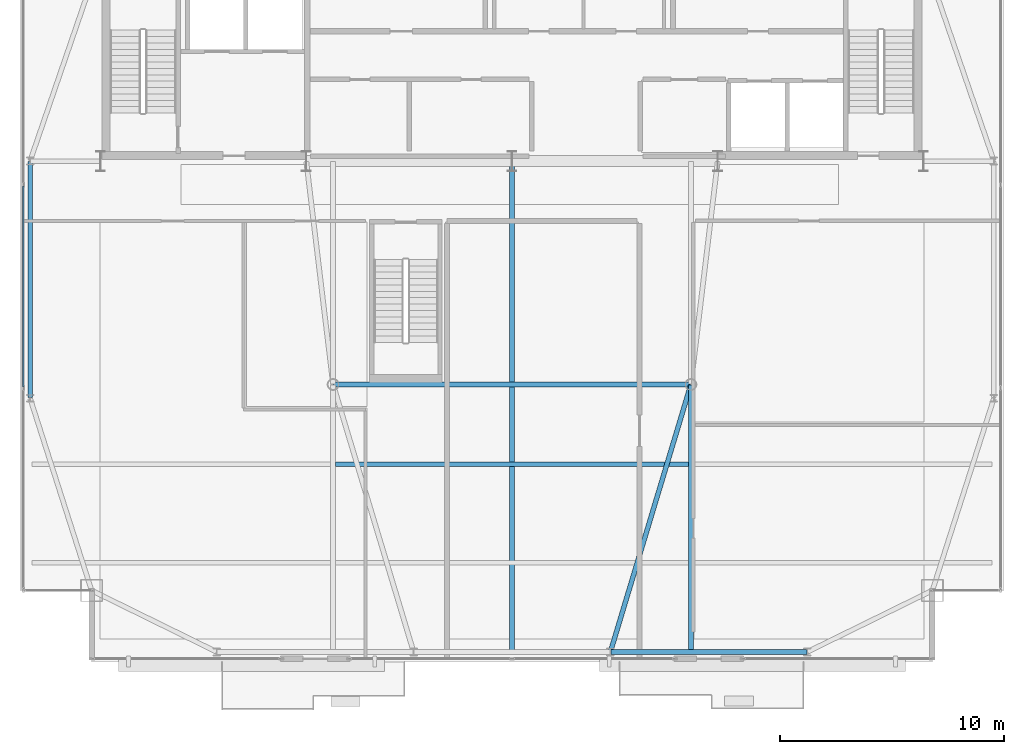
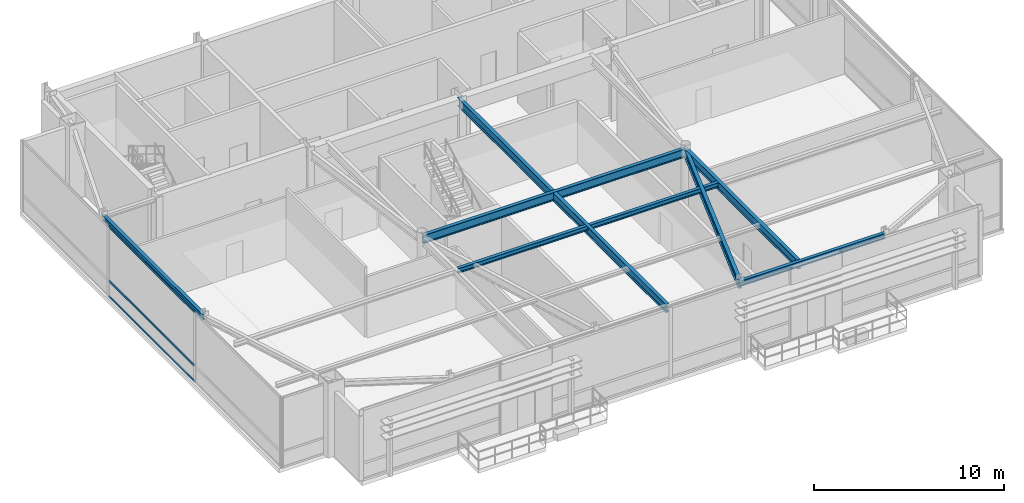
# One storey, part 8 of 22: 7 beams, 3 members, 1 element without a shape of its own.
"""IFC4 building model written with IfcOpenShell, lengths in metres."""

from ifc_helpers import new_model, si_unit, direction, frame, origin, origin_2d, place, context, subcontext, project, spatial, hollow_rectangle, i_section, extrude, source, transform, mapped, material, layer, layer_set, material_profile, profile_set, type_object, type_shapes, element, aggregate, save


model = new_model("IFC4")

# Units and contexts
model_context = context("Model", 3, precision=1e-05, world=origin(), true_north=direction((0.0, 1.0)))
body_context = subcontext(model_context, "Body", "Model", "MODEL_VIEW")
ifc_project = project(units=[si_unit("LENGTHUNIT", "METRE"), si_unit("AREAUNIT", "SQUARE_METRE"), si_unit("VOLUMEUNIT", "CUBIC_METRE"), si_unit("PLANEANGLEUNIT", "RADIAN"), si_unit("MASSUNIT", "GRAM", prefix="KILO")], contexts=[model_context])

# Site, building, storey
site_placement = place(None, origin())
site = spatial("IfcSite", under=ifc_project, at=site_placement, CompositionType="ELEMENT")
building_placement = place(site_placement, origin())
building = spatial("IfcBuilding", under=site, at=building_placement, Name="Varnel Quay Broadcast Tower", CompositionType="ELEMENT")
storey_placement = place(building_placement, frame((0.0, 0.0, 305.0)))
storey = spatial("IfcBuildingStorey", under=building, at=storey_placement, Name="L76", CompositionType="ELEMENT", Elevation=305.0)

# Beams
ifc_material_1 = material(Name="Structural Steel CSA G40.21 350W", Category="steel")
ifc_material_profile_1 = material_profile(ifc_material_1, i_section(OverallWidth=0.205078125, OverallDepth=0.35400390625, WebThickness=0.009521484375, FlangeThickness=0.016845703125, FilletRadius=0.012939453125, at=origin_2d()), Name="W360X79")
ifc_profile_set_1 = profile_set([ifc_material_profile_1], Name="Structural Steel CSA G40.21 350W")
beam_type_1 = type_object("IfcBeamType", Name="Beam_W360X79", PredefinedType="SPANDREL", material=ifc_profile_set_1)
shared_shape_1 = source(origin(), body_context, "Body", "SweptSolid", [
    extrude(i_section(OverallWidth=0.205078125, OverallDepth=0.35400390625, WebThickness=0.009521484375, FlangeThickness=0.016845703125, FilletRadius=0.012939453125, at=origin_2d()), origin(), (0.0, 0.0, 1.0), 8.760009765625),
])
beam_1_placement = place(storey_placement, frame((38.419921875, 13.64990234375, 4.343017578125), z_axis=(1.0, 0.0, 0.0), x_axis=(0.0, 1.0, 0.0)))
element("IfcBeam", 1, at=beam_1_placement, inside=storey, type_object=beam_type_1, Name="L76 South Spandrel TC-S3-TC-S4", PredefinedType="SPANDREL", context=body_context, shape_type="MappedRepresentation", body=[
    mapped(shared_shape_1, transform((0.0, 0.0, 0.0), x_axis=(1.0, 0.0, 0.0), y_axis=(0.0, 1.0, 0.0), z_axis=(0.0, 0.0, 1.0), scale=1.0)),
])
shared_shape_2 = source(origin(), body_context, "Body", "SweptSolid", [
    extrude(i_section(OverallWidth=0.205078125, OverallDepth=0.35400390625, WebThickness=0.009521484375, FlangeThickness=0.016845703125, FilletRadius=0.012939453125, at=origin_2d()), origin(), (0.0, 0.0, 1.0), 10.56005859375),
])
type_shapes(beam_type_1, [shared_shape_1, shared_shape_2])
beam_2_placement = place(storey_placement, frame((12.449951171875, 25.02001953125, 4.343017578125), z_axis=(0.0, 1.0, 0.0), x_axis=(-1.0, 0.0, 0.0)))
element("IfcBeam", 2, at=beam_2_placement, inside=storey, type_object=beam_type_1, Name="L76 West Spandrel TC-W1-TC-W2", PredefinedType="SPANDREL", context=body_context, shape_type="MappedRepresentation", body=[
    mapped(shared_shape_2, transform((0.0, 0.0, 0.0), x_axis=(1.0, 0.0, 0.0), y_axis=(0.0, 1.0, 0.0), z_axis=(0.0, 0.0, 1.0), scale=1.0)),
])
ifc_material_profile_2 = material_profile(ifc_material_1, i_section(OverallWidth=0.2119140625, OverallDepth=0.5439453125, WebThickness=0.01318359375, FlangeThickness=0.021240234375, FilletRadius=0.013916015625, at=origin_2d()), Name="W530X123")
ifc_profile_set_2 = profile_set([ifc_material_profile_2], Name="Structural Steel CSA G40.21 350W")
beam_type_2 = type_object("IfcBeamType", Name="Girder_W530X123", PredefinedType="BEAM", material=ifc_profile_set_2)
shared_shape_3 = source(origin(), body_context, "Body", "SweptSolid", [
    extrude(i_section(OverallWidth=0.2119140625, OverallDepth=0.5439453125, WebThickness=0.01318359375, FlangeThickness=0.021240234375, FilletRadius=0.013916015625, at=origin_2d()), origin(), (0.0, 0.0, 1.0), 12.449951171875),
])
beam_3_placement = place(storey_placement, frame((38.40576171875, 13.669189453125, 4.248046875), z_axis=(0.28822390679, 0.957563042078, 0.0), x_axis=(-0.957563042078, 0.28822390679, 0.0)))
element("IfcBeam", 3, at=beam_3_placement, inside=storey, type_object=beam_type_2, Name="L76 Primary Girder TC-S3-IC-02", PredefinedType="BEAM", context=body_context, shape_type="MappedRepresentation", body=[
    mapped(shared_shape_3, transform((0.0, 0.0, 0.0), x_axis=(1.0, 0.0, 0.0), y_axis=(0.0, 1.0, 0.0), z_axis=(0.0, 0.0, 1.0), scale=1.0)),
])
shared_shape_4 = source(origin(), body_context, "Body", "SweptSolid", [
    extrude(i_section(OverallWidth=0.2119140625, OverallDepth=0.5439453125, WebThickness=0.01318359375, FlangeThickness=0.021240234375, FilletRadius=0.013916015625, at=origin_2d()), origin(), (0.0, 0.0, 1.0), 15.9599609375),
])
beam_4_placement = place(storey_placement, frame((26.02001953125, 25.610107421875, 4.248046875), z_axis=(1.0, 0.0, 0.0), x_axis=(0.0, 1.0, 0.0)))
element("IfcBeam", 4, at=beam_4_placement, inside=storey, type_object=beam_type_2, Name="L76 Interior Spine Girder", PredefinedType="BEAM", context=body_context, shape_type="MappedRepresentation", body=[
    mapped(shared_shape_4, transform((0.0, 0.0, 0.0), x_axis=(1.0, 0.0, 0.0), y_axis=(0.0, 1.0, 0.0), z_axis=(0.0, 0.0, 1.0), scale=1.0)),
])
shared_shape_5 = source(origin(), body_context, "Body", "SweptSolid", [
    extrude(i_section(OverallWidth=0.2119140625, OverallDepth=0.5439453125, WebThickness=0.01318359375, FlangeThickness=0.021240234375, FilletRadius=0.013916015625, at=origin_2d()), origin(), (0.0, 0.0, 1.0), 21.91015625),
])
beam_5_placement = place(storey_placement, frame((34.0, 13.669921875, 4.248046875), z_axis=(0.0, 1.0, 0.0), x_axis=(-1.0, 0.0, 0.0)))
element("IfcBeam", 5, at=beam_5_placement, inside=storey, type_object=beam_type_2, Name="L76 Central Bay Girder", PredefinedType="BEAM", context=body_context, shape_type="MappedRepresentation", body=[
    mapped(shared_shape_5, transform((0.0, 0.0, 0.0), x_axis=(1.0, 0.0, 0.0), y_axis=(0.0, 1.0, 0.0), z_axis=(0.0, 0.0, 1.0), scale=1.0)),
])
shared_shape_6 = source(origin(), body_context, "Body", "SweptSolid", [
    extrude(i_section(OverallWidth=0.2119140625, OverallDepth=0.5439453125, WebThickness=0.01318359375, FlangeThickness=0.021240234375, FilletRadius=0.013916015625, at=origin_2d()), origin(), (0.0, 0.0, 1.0), 11.920166015625),
])
type_shapes(beam_type_2, [shared_shape_3, shared_shape_4, shared_shape_5, shared_shape_6])
beam_6_placement = place(storey_placement, frame((42.0, 13.669921875, 4.248046875), z_axis=(0.0, 1.0, 0.0), x_axis=(-1.0, 0.0, 0.0)))
element("IfcBeam", 6, at=beam_6_placement, inside=storey, type_object=beam_type_2, Name="L76 N-S Joist Header IC-02S", PredefinedType="BEAM", context=body_context, shape_type="MappedRepresentation", body=[
    mapped(shared_shape_6, transform((0.0, 0.0, 0.0), x_axis=(1.0, 0.0, 0.0), y_axis=(0.0, 1.0, 0.0), z_axis=(0.0, 0.0, 1.0), scale=1.0)),
])
ifc_material_profile_3 = material_profile(ifc_material_1, i_section(OverallWidth=0.202880859375, OverallDepth=0.302978515625, WebThickness=0.007568359375, FlangeThickness=0.01318359375, FilletRadius=0.011962890625, at=origin_2d()), Name="W310X60")
ifc_profile_set_3 = profile_set([ifc_material_profile_3], Name="Structural Steel CSA G40.21 350W")
beam_type_3 = type_object("IfcBeamType", Name="Beam_W310X60", PredefinedType="JOIST", material=ifc_profile_set_3)
shared_shape_7 = source(origin(), body_context, "Body", "SweptSolid", [
    extrude(i_section(OverallWidth=0.202880859375, OverallDepth=0.302978515625, WebThickness=0.007568359375, FlangeThickness=0.01318359375, FilletRadius=0.011962890625, at=origin_2d()), origin(), (0.0, 0.0, 1.0), 15.7978515625),
])
type_shapes(beam_type_3, [shared_shape_7])
beam_7_placement = place(storey_placement, frame((26.10107421875, 22.050048828125, 4.368408203125), z_axis=(1.0, 0.0, 0.0), x_axis=(0.0, 1.0, 0.0)))
element("IfcBeam", 7, at=beam_7_placement, inside=storey, type_object=beam_type_3, Name="L76 Central Floor Joist 2", PredefinedType="JOIST", context=body_context, shape_type="MappedRepresentation", body=[
    mapped(shared_shape_7, transform((0.0, 0.0, 0.0), x_axis=(1.0, 0.0, 0.0), y_axis=(0.0, 1.0, 0.0), z_axis=(0.0, 0.0, 1.0), scale=1.0)),
])

# Curtain wall, members
ifc_material_2 = material(Name="Anodised Bronze Aluminium 6063-T6", Category="aluminium")
ifc_layer = layer(ifc_material_2, 0.18994140625, Name="Anodised Bronze Aluminium 6063-T6")
ifc_layer_set = layer_set([ifc_layer], Name="Anodised Bronze Aluminium 6063-T6")
curtain_wall_type = type_object("IfcCurtainWallType", Name="CW_SkyObsHighVis", PredefinedType="NOTDEFINED", material=ifc_layer_set)
curtain_wall_placement = place(storey_placement, origin())
curtain_wall = element("IfcCurtainWall", 8, at=curtain_wall_placement, inside=storey, type_object=curtain_wall_type, Name="L76 West Unitised Curtain Wall", PredefinedType="NOTDEFINED")
ifc_material_profile_4 = material_profile(ifc_material_2, hollow_rectangle(XDim=0.06005859375, YDim=0.14501953125, WallThickness=0.00341796875, at=origin_2d()), Name="ALU60X145X3.5")
ifc_profile_set_4 = profile_set([ifc_material_profile_4], Name="Anodised Bronze Aluminium 6063-T6")
member_type = type_object("IfcMemberType", Name="Tran_CWS-05", PredefinedType="USERDEFINED", material=ifc_profile_set_4)
shared_shape_8 = source(origin(), body_context, "Body", "SweptSolid", [
    extrude(hollow_rectangle(XDim=0.06005859375, YDim=0.14501953125, WallThickness=0.00341796875, at=origin_2d()), origin(), (0.0, 0.0, 1.0), 8.99169921875),
])
type_shapes(member_type, [shared_shape_8])
member_1_placement = place(storey_placement, frame((12.14990234375, 25.504150390625, 0.030029296875), z_axis=(0.0, 1.0, 0.0), x_axis=(-1.0, 0.0, 0.0)))
member_1 = element("IfcMember", 9, at=member_1_placement, type_object=member_type, Name="CWS-05 transom 2.1", ObjectType="TRANSOM", PredefinedType="USERDEFINED", context=body_context, shape_type="MappedRepresentation", body=[
    mapped(shared_shape_8, transform((0.0, 0.0, 0.0), x_axis=(1.0, 0.0, 0.0), y_axis=(0.0, 1.0, 0.0), z_axis=(0.0, 0.0, 1.0), scale=1.0)),
])
member_2_placement = place(storey_placement, frame((12.14990234375, 25.504150390625, 1.050048828125), z_axis=(0.0, 1.0, 0.0), x_axis=(-1.0, 0.0, 0.0)))
member_2 = element("IfcMember", 10, at=member_2_placement, type_object=member_type, Name="CWS-05 transom 2.2", ObjectType="TRANSOM", PredefinedType="USERDEFINED", context=body_context, shape_type="MappedRepresentation", body=[
    mapped(shared_shape_8, transform((0.0, 0.0, 0.0), x_axis=(1.0, 0.0, 0.0), y_axis=(0.0, 1.0, 0.0), z_axis=(0.0, 0.0, 1.0), scale=1.0)),
])
member_3_placement = place(storey_placement, frame((12.14990234375, 25.504150390625, 4.489990234375), z_axis=(0.0, 1.0, 0.0), x_axis=(-1.0, 0.0, 0.0)))
member_3 = element("IfcMember", 11, at=member_3_placement, type_object=member_type, Name="CWS-05 transom 2.3", ObjectType="TRANSOM", PredefinedType="USERDEFINED", context=body_context, shape_type="MappedRepresentation", body=[
    mapped(shared_shape_8, transform((0.0, 0.0, 0.0), x_axis=(1.0, 0.0, 0.0), y_axis=(0.0, 1.0, 0.0), z_axis=(0.0, 0.0, 1.0), scale=1.0)),
])
aggregate(curtain_wall, [member_1, member_2, member_3])

save(model, "model.ifc")
